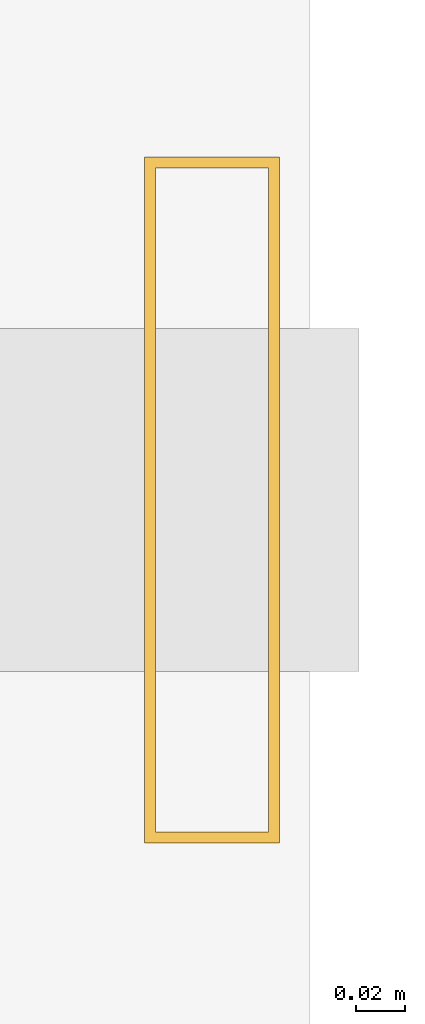
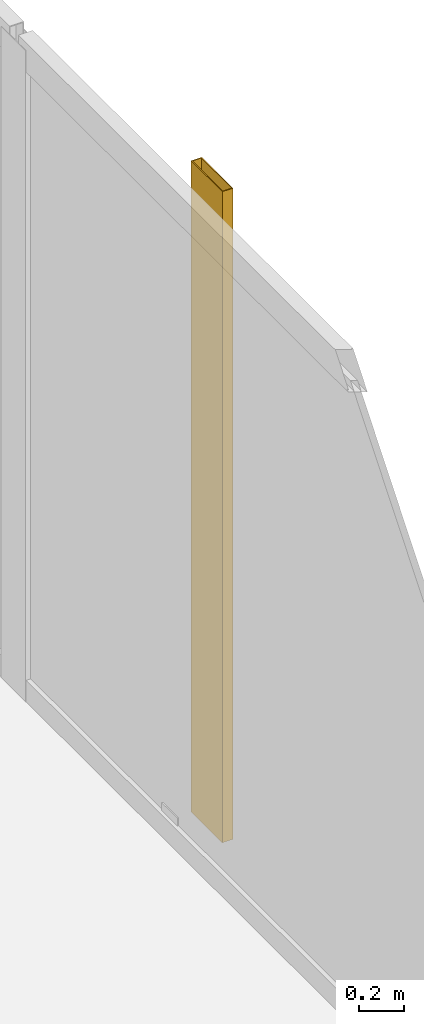
# One storey, part 23 of 23: 1 shading device.
"""IFC4 building model written with IfcOpenShell, lengths in metres."""

from ifc_helpers import new_model, si_unit, direction, frame, origin, origin_2d, place, context, subcontext, project, spatial, hollow_rectangle, extrude, material, material_profile, profile_set, type_object, element, save


model = new_model("IFC4")

# Units and contexts
model_context = context("Model", 3, precision=1e-05, world=origin(), true_north=direction((0.0, 1.0)))
body_context = subcontext(model_context, "Body", "Model", "MODEL_VIEW")
ifc_project = project(units=[si_unit("LENGTHUNIT", "METRE"), si_unit("AREAUNIT", "SQUARE_METRE"), si_unit("VOLUMEUNIT", "CUBIC_METRE"), si_unit("PLANEANGLEUNIT", "RADIAN"), si_unit("MASSUNIT", "GRAM", prefix="KILO")], contexts=[model_context])

# Site, building, storey
site_placement = place(None, origin())
site = spatial("IfcSite", under=ifc_project, at=site_placement, CompositionType="ELEMENT")
building_placement = place(site_placement, origin())
building = spatial("IfcBuilding", under=site, at=building_placement, Name="Kolvaren Waterfront Exchange", CompositionType="ELEMENT")
storey_placement = place(building_placement, frame((0.0, 0.0, 242.5)))
storey = spatial("IfcBuildingStorey", under=building, at=storey_placement, Name="L62", CompositionType="ELEMENT", Elevation=242.5)

# Shading device
ifc_material = material(Name="Anodised bronze aluminium 6063-T6", Category="aluminium")
ifc_material_profile = material_profile(ifc_material, hollow_rectangle(XDim=0.054931640625, YDim=0.280029296875, WallThickness=0.00439453125, at=origin_2d()), Name="BRZ-FIN-280x55x4.5")
ifc_profile_set = profile_set([ifc_material_profile], Name="Anodised bronze aluminium 6063-T6")
shading_device_type = type_object("IfcShadingDeviceType", Name="ARC-FIN-280", PredefinedType="USERDEFINED", material=ifc_profile_set)
shading_device_placement = place(storey_placement, frame((21.360107421875, 38.39990234375, 0.0), z_axis=(0.0, 0.0, 1.0), x_axis=(1.0, 0.0, 0.0)))
element("IfcShadingDevice", 1, at=shading_device_placement, inside=storey, type_object=shading_device_type, Name="L62 anodised bronze solar shading fin FIN-L62-E3", ObjectType="SOLAR FIN", PredefinedType="USERDEFINED", context=body_context, shape_type="SweptSolid", body=[
    extrude(hollow_rectangle(XDim=0.054931640625, YDim=0.280029296875, WallThickness=0.00439453125, at=origin_2d()), origin(), (0.0, 0.0, 1.0), 3.56005859375),
])

save(model, "model.ifc")
